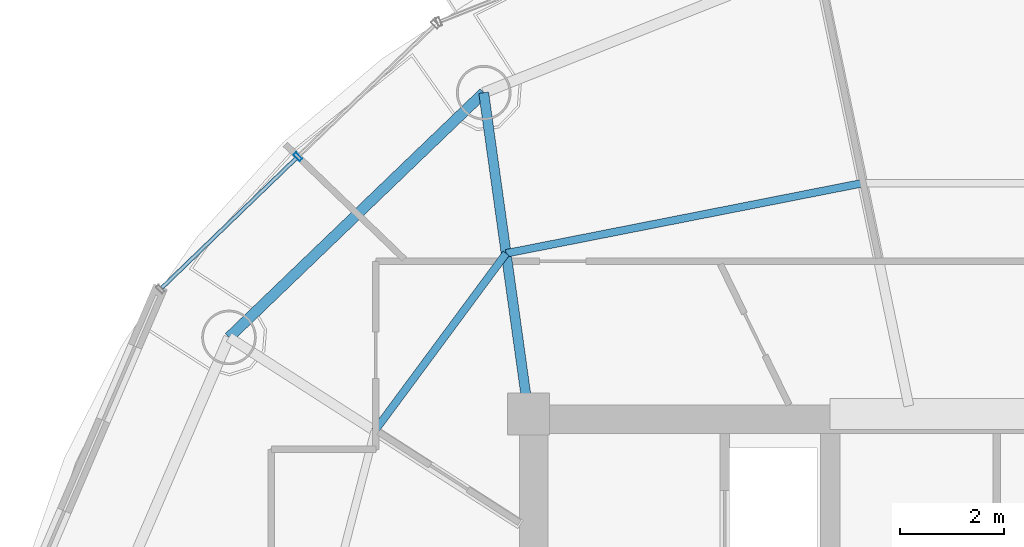
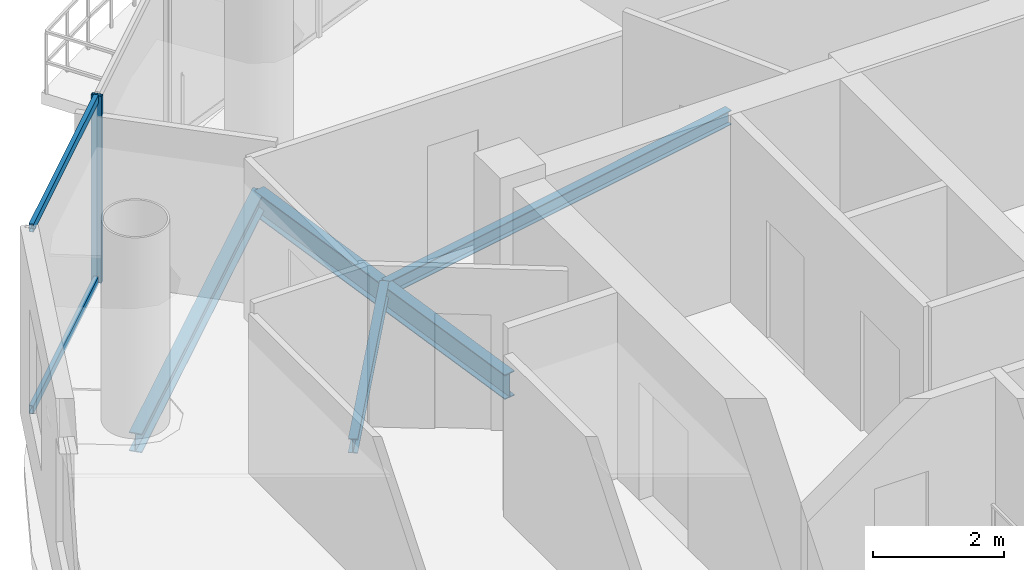
# One storey, part 9 of 24: 4 beams, 3 members, 1 element without a shape of its own.
"""IFC4 building model written with IfcOpenShell, lengths in metres."""

from ifc_helpers import new_model, si_unit, direction, frame, origin, origin_2d, place, context, subcontext, project, spatial, hollow_rectangle, i_section, extrude, source, transform, mapped, material, material_profile, profile_set, type_object, element, aggregate, save


model = new_model("IFC4")

# Units and contexts
model_context = context("Model", 3, precision=1e-05, world=origin(), true_north=direction((-0.2419218956, 0.970295726276)))
body_context = subcontext(model_context, "Body", "Model", "MODEL_VIEW")
ifc_project = project(units=[si_unit("LENGTHUNIT", "METRE"), si_unit("AREAUNIT", "SQUARE_METRE"), si_unit("VOLUMEUNIT", "CUBIC_METRE"), si_unit("PLANEANGLEUNIT", "RADIAN"), si_unit("MASSUNIT", "GRAM", prefix="KILO")], contexts=[model_context])

# Site, building, storey
site_placement = place(None, origin())
site = spatial("IfcSite", under=ifc_project, at=site_placement, CompositionType="ELEMENT")
building_placement = place(site_placement, origin())
building = spatial("IfcBuilding", under=site, at=building_placement, Name="Cobrevalo Terracotta Tower", CompositionType="ELEMENT")
storey_placement = place(building_placement, frame((0.0, 0.0, 274.449951171875)))
storey = spatial("IfcBuildingStorey", under=building, at=storey_placement, Name="L72", CompositionType="ELEMENT", Elevation=274.449951171875)

# Beams
ifc_material_1 = material(Name="Steel S355", Category="steel")
ifc_material_profile_1 = material_profile(ifc_material_1, i_section(OverallWidth=0.19091796875, OverallDepth=0.4599609375, WebThickness=0.010009765625, FlangeThickness=0.01611328125, at=origin_2d()), Name="W 460x82")
ifc_profile_set_1 = profile_set([ifc_material_profile_1], Name="Steel S355")
beam_type_1 = type_object("IfcBeamType", Name="Structural Beam W 460x82 (Steel S355)", PredefinedType="BEAM", material=ifc_profile_set_1)
beam_1_placement = place(storey_placement, frame((28.138671875, 40.9765625, -0.489990234375), z_axis=(0.138115657759, -0.990416107039, 0.0), x_axis=(0.990416107039, 0.138115657759, 0.0)))
element("IfcBeam", 1, at=beam_1_placement, inside=storey, type_object=beam_type_1, Name="L72 radial floor girder 06", PredefinedType="BEAM", context=body_context, shape_type="SweptSolid", body=[
    extrude(i_section(OverallWidth=0.19091796875, OverallDepth=0.4599609375, WebThickness=0.010009765625, FlangeThickness=0.01611328125, at=origin_2d()), origin(), (0.0, 0.0, 1.0), 6.236328125),
])
ifc_material_profile_2 = material_profile(ifc_material_1, i_section(OverallWidth=0.14794921875, OverallDepth=0.26611328125, WebThickness=0.007568359375, FlangeThickness=0.012939453125, at=origin_2d()), Name="W 250x44.8")
ifc_profile_set_2 = profile_set([ifc_material_profile_2], Name="Steel S355")
beam_type_2 = type_object("IfcBeamType", Name="Structural Joist W 250x44.8 (Steel S355)", PredefinedType="JOIST", material=ifc_profile_set_2)
beam_2_placement = place(storey_placement, frame((35.42431640625, 39.23876953125, -0.39306640625), z_axis=(-0.98113843359, -0.19330642548, 0.0), x_axis=(0.19330642548, -0.98113843359, 0.0)))
element("IfcBeam", 2, at=beam_2_placement, inside=storey, type_object=beam_type_2, Name="L72 circumferential secondary floor joist 05", PredefinedType="JOIST", context=body_context, shape_type="SweptSolid", body=[
    extrude(i_section(OverallWidth=0.14794921875, OverallDepth=0.26611328125, WebThickness=0.007568359375, FlangeThickness=0.012939453125, at=origin_2d()), origin(), (0.0, 0.0, 1.0), 6.98681640625),
])
beam_3_placement = place(storey_placement, frame((28.5693359375, 37.88818359375, -0.39306640625), z_axis=(-0.594799916617, -0.803873783123, 0.0), x_axis=(0.803873783123, -0.594799916617, 0.0)))
element("IfcBeam", 3, at=beam_3_placement, inside=storey, type_object=beam_type_2, Name="L72 circumferential secondary floor joist 06", PredefinedType="JOIST", context=body_context, shape_type="SweptSolid", body=[
    extrude(i_section(OverallWidth=0.14794921875, OverallDepth=0.26611328125, WebThickness=0.007568359375, FlangeThickness=0.012939453125, at=origin_2d()), origin(), (0.0, 0.0, 1.0), 4.2470703125),
])
ifc_material_profile_3 = material_profile(ifc_material_1, i_section(OverallWidth=0.205078125, OverallDepth=0.35400390625, WebThickness=0.009521484375, FlangeThickness=0.016845703125, at=origin_2d()), Name="W 360x79")
ifc_profile_set_3 = profile_set([ifc_material_profile_3], Name="Steel S355")
beam_type_3 = type_object("IfcBeamType", Name="Structural Spandrel W 360x79 (Steel S355)", PredefinedType="SPANDREL", material=ifc_profile_set_3)
beam_4_placement = place(storey_placement, frame((28.138671875, 40.9765625, -0.43701171875), z_axis=(-0.721183246144, -0.692744343522, 0.0), x_axis=(0.692744343522, -0.721183246144, 0.0)))
element("IfcBeam", 4, at=beam_4_placement, inside=storey, type_object=beam_type_3, Name="L72 perimeter ring spandrel 06", PredefinedType="SPANDREL", context=body_context, shape_type="SweptSolid", body=[
    extrude(i_section(OverallWidth=0.205078125, OverallDepth=0.35400390625, WebThickness=0.009521484375, FlangeThickness=0.016845703125, at=origin_2d()), origin(), (0.0, 0.0, 1.0), 6.79052734375),
])

# Curtain wall, members
ifc_material_2 = material(Name="Anodized aluminium", Category="aluminium")
curtain_wall_type = type_object("IfcCurtainWallType", Name="Upper-tower triple-glazed penthouse curtain wall CW-U3", PredefinedType="NOTDEFINED", material=ifc_material_2)
curtain_wall_placement = place(storey_placement, origin())
curtain_wall = element("IfcCurtainWall", 5, at=curtain_wall_placement, inside=storey, type_object=curtain_wall_type, Name="L72 curtain wall CW-L72-S06", PredefinedType="NOTDEFINED")
ifc_material_profile_4 = material_profile(ifc_material_2, hollow_rectangle(XDim=0.070068359375, YDim=0.169921875, WallThickness=0.00439453125, at=origin_2d()), Name="CWM 70x170")
ifc_profile_set_4 = profile_set([ifc_material_profile_4], Name="Anodized aluminium")
member_type_1 = type_object("IfcMemberType", Name="Upper tower unitised mullion 70x170", PredefinedType="MULLION", material=ifc_profile_set_4)
shared_shape_1 = source(origin(), body_context, "Body", "SweptSolid", [
    extrude(hollow_rectangle(XDim=0.070068359375, YDim=0.169921875, WallThickness=0.00439453125, at=origin_2d()), origin(), (0.0, 0.0, 1.0), 3.489990234375),
])
member_1_placement = place(storey_placement, frame((24.56640625, 39.748046875, 0.0), z_axis=(0.0, 0.0, 1.0), x_axis=(-0.71999418085, -0.69398010025, 0.0)))
member_1 = element("IfcMember", 6, at=member_1_placement, type_object=member_type_1, Name="CW-L72-S06 vertical mullion 02", PredefinedType="MULLION", context=body_context, shape_type="MappedRepresentation", body=[
    mapped(shared_shape_1, transform((0.0, 0.0, 0.0), scale=1.0)),
])
ifc_material_profile_5 = material_profile(ifc_material_2, hollow_rectangle(XDim=0.074951171875, YDim=0.14990234375, WallThickness=0.00439453125, at=origin_2d()), Name="CWT 75x150")
ifc_profile_set_5 = profile_set([ifc_material_profile_5], Name="Anodized aluminium")
member_type_2 = type_object("IfcMemberType", Name="Tower unitised aluminium transom 75x150", PredefinedType="USERDEFINED", material=ifc_profile_set_5)
shared_shape_2 = source(origin(), body_context, "Body", "SweptSolid", [
    extrude(hollow_rectangle(XDim=0.074951171875, YDim=0.14990234375, WallThickness=0.00439453125, at=origin_2d()), origin(), (0.0, 0.0, 1.0), 3.59130859375),
])
member_2_placement = place(storey_placement, frame((24.537841796875, 39.72021484375, 0.050048828125), z_axis=(-0.720005628362, -0.693968223427, 0.0), x_axis=(0.693968223427, -0.720005628362, 0.0)))
member_2 = element("IfcMember", 7, at=member_2_placement, type_object=member_type_2, Name="CW-L72-S06 transom B02-T1", ObjectType="TRANSOM", PredefinedType="USERDEFINED", context=body_context, shape_type="MappedRepresentation", body=[
    mapped(shared_shape_2, transform((0.0, 0.0, 0.0), scale=1.0)),
])
member_3_placement = place(storey_placement, frame((24.537841796875, 39.72021484375, 3.43994140625), z_axis=(-0.720005628362, -0.693968223427, 0.0), x_axis=(0.693968223427, -0.720005628362, 0.0)))
member_3 = element("IfcMember", 8, at=member_3_placement, type_object=member_type_2, Name="CW-L72-S06 transom B02-T2", ObjectType="TRANSOM", PredefinedType="USERDEFINED", context=body_context, shape_type="MappedRepresentation", body=[
    mapped(shared_shape_2, transform((0.0, 0.0, 0.0), scale=1.0)),
])
aggregate(curtain_wall, [member_1, member_2, member_3])

save(model, "model.ifc")
